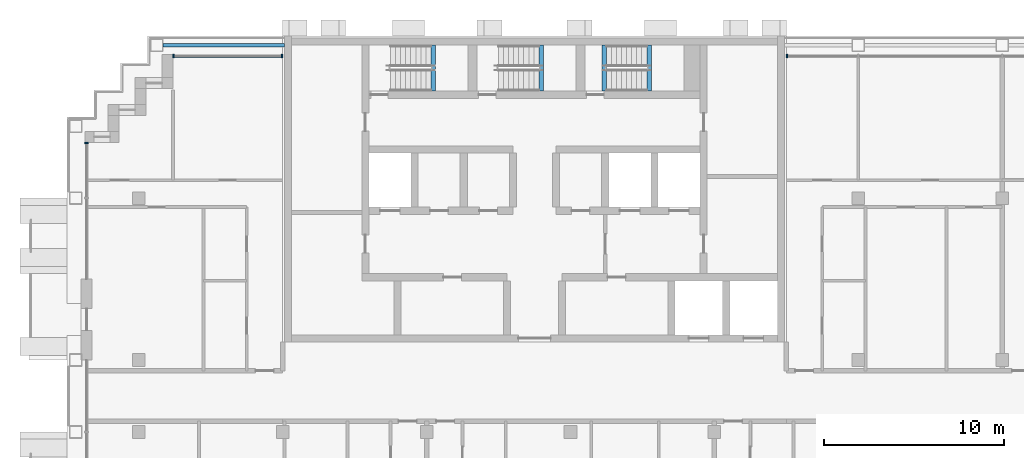
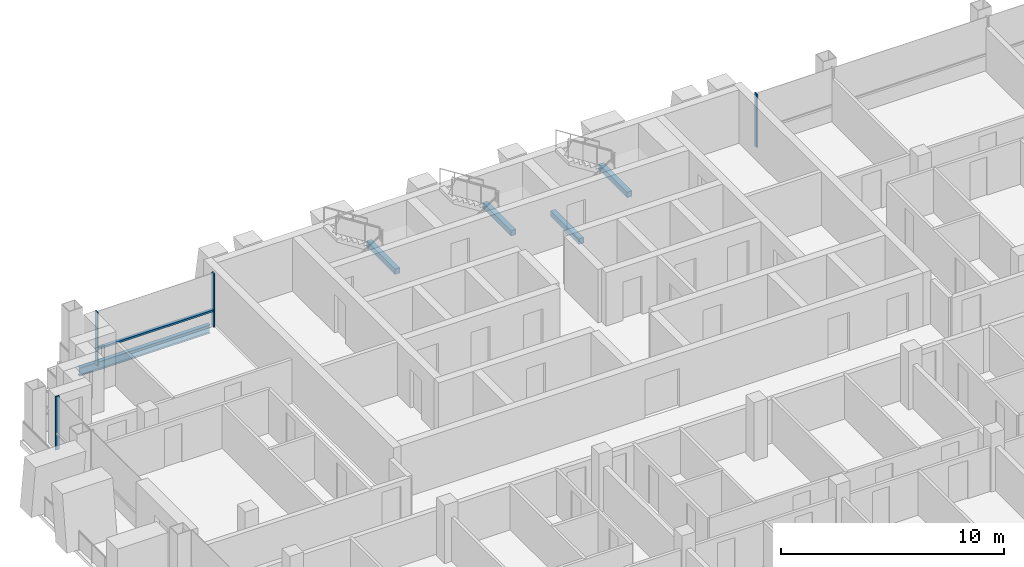
# One storey, part 4 of 16: 5 beams, 5 members, 3 elements without a shape of their own.
"""IFC4 building model written with IfcOpenShell, lengths in metres."""

from ifc_helpers import new_model, si_unit, direction, frame, origin, origin_2d, place, context, subcontext, project, spatial, rectangle, i_section, extrude, material, material_profile, profile_set, type_object, element, aggregate, save


model = new_model("IFC4")

# Units and contexts
model_context = context("Model", 3, precision=1e-05, world=origin(), true_north=direction((0.0, 1.0)))
body_context = subcontext(model_context, "Body", "Model", "MODEL_VIEW")
ifc_project = project(units=[si_unit("LENGTHUNIT", "METRE"), si_unit("AREAUNIT", "SQUARE_METRE"), si_unit("VOLUMEUNIT", "CUBIC_METRE"), si_unit("PLANEANGLEUNIT", "RADIAN"), si_unit("MASSUNIT", "GRAM", prefix="KILO")], contexts=[model_context])

# Site, building, storey
site_placement = place(None, origin())
site = spatial("IfcSite", under=ifc_project, at=site_placement, CompositionType="ELEMENT")
building_placement = place(site_placement, origin())
building = spatial("IfcBuilding", under=site, at=building_placement, Name="Vidyagriha Tower", CompositionType="ELEMENT")
storey_placement = place(building_placement, frame((0.0, 0.0, 165.300048828125)))
storey = spatial("IfcBuildingStorey", under=building, at=storey_placement, Name="L42", CompositionType="ELEMENT", Elevation=165.300048828125)

# Beam
ifc_material_1 = material(Name="Steel ASTM A992 Grade 50", Category="steel")
ifc_material_profile_1 = material_profile(ifc_material_1, i_section(OverallWidth=0.19189453125, OverallDepth=0.46240234375, WebThickness=0.010498046875, FlangeThickness=0.017578125, at=origin_2d()), Name="W18X60")
ifc_profile_set_1 = profile_set([ifc_material_profile_1], Name="Steel ASTM A992 Grade 50")
beam_type_1 = type_object("IfcBeamType", Name="Edge beam W18X60", PredefinedType="SPANDREL", material=ifc_profile_set_1)
beam_placement = place(storey_placement, frame((-20.64990234375, 19.5, -0.51123046875), z_axis=(1.0, 0.0, 0.0), x_axis=(0.0, 1.0, 0.0)))
element("IfcBeam", 1, at=beam_placement, inside=storey, type_object=beam_type_1, Name="st-beam-L42-NC09", PredefinedType="SPANDREL", context=body_context, shape_type="SweptSolid", body=[
    extrude(i_section(OverallWidth=0.19189453125, OverallDepth=0.46240234375, WebThickness=0.010498046875, FlangeThickness=0.017578125, at=origin_2d()), origin(), (0.0, 0.0, 1.0), 6.75),
])

# Curtain wall, member
ifc_material_2 = material(Name="Aluminium and glass curtain wall", Category="aluminium")
curtain_wall_type = type_object("IfcCurtainWallType", Name="Dwelling skin unitised curtain wall", PredefinedType="USERDEFINED", material=ifc_material_2)
curtain_wall_1_placement = place(storey_placement, origin())
curtain_wall_1 = element("IfcCurtainWall", 2, at=curtain_wall_1_placement, inside=storey, type_object=curtain_wall_type, Name="CW1 dwelling skin", ObjectType="UNITISED", PredefinedType="USERDEFINED")
ifc_material_3 = material(Name="Aluminium black anodised", Category="aluminium")
ifc_material_profile_2 = material_profile(ifc_material_3, rectangle(XDim=0.199951171875, YDim=0.070068359375, at=origin_2d()), Name="Mullion 70x200 black aluminium")
ifc_profile_set_2 = profile_set([ifc_material_profile_2], Name="Aluminium black anodised")
member_type_1 = type_object("IfcMemberType", Name="Mullion 70x200 black aluminium", PredefinedType="MULLION", material=ifc_profile_set_2)
member_1_placement = place(storey_placement, frame((14.034912109375, 18.89990234375, 0.0), z_axis=(0.0, 0.0, 1.0), x_axis=(0.0, -1.0, 0.0)))
member_1 = element("IfcMember", 3, at=member_1_placement, type_object=member_type_1, Name="CW1 mullion 4", PredefinedType="MULLION", context=body_context, shape_type="SweptSolid", body=[
    extrude(rectangle(XDim=0.199951171875, YDim=0.070068359375, at=origin_2d()), origin(), (0.0, 0.0, 1.0), 2.919921875),
])
aggregate(curtain_wall_1, [member_1])

# Curtain wall, members
curtain_wall_2_placement = place(storey_placement, origin())
curtain_wall_2 = element("IfcCurtainWall", 4, at=curtain_wall_2_placement, inside=storey, type_object=curtain_wall_type, Name="CW1 dwelling skin", ObjectType="UNITISED", PredefinedType="USERDEFINED")
member_2_placement = place(storey_placement, frame((-14.034912109375, 18.89990234375, 0.0), z_axis=(0.0, 0.0, 1.0), x_axis=(0.0, -1.0, 0.0)))
member_2 = element("IfcMember", 5, at=member_2_placement, type_object=member_type_1, Name="CW1 mullion 1", PredefinedType="MULLION", context=body_context, shape_type="SweptSolid", body=[
    extrude(rectangle(XDim=0.199951171875, YDim=0.070068359375, at=origin_2d()), origin(), (0.0, 0.0, 1.0), 2.919921875),
])
member_3_placement = place(storey_placement, frame((-20.06494140625, 18.89990234375, 0.0), z_axis=(0.0, 0.0, 1.0), x_axis=(0.0, -1.0, 0.0)))
member_3 = element("IfcMember", 6, at=member_3_placement, type_object=member_type_1, Name="CW1 mullion 2", PredefinedType="MULLION", context=body_context, shape_type="SweptSolid", body=[
    extrude(rectangle(XDim=0.199951171875, YDim=0.070068359375, at=origin_2d()), origin(), (0.0, 0.0, 1.0), 2.919921875),
])

# Curtain wall, member
curtain_wall_3_placement = place(storey_placement, origin())
curtain_wall_3 = element("IfcCurtainWall", 7, at=curtain_wall_3_placement, inside=storey, type_object=curtain_wall_type, Name="CW1 dwelling skin", ObjectType="UNITISED", PredefinedType="USERDEFINED")
member_4_placement = place(storey_placement, frame((-24.89990234375, 14.06494140625, 0.0)))
member_4 = element("IfcMember", 8, at=member_4_placement, type_object=member_type_1, Name="CW1 mullion 1", PredefinedType="MULLION", context=body_context, shape_type="SweptSolid", body=[
    extrude(rectangle(XDim=0.199951171875, YDim=0.070068359375, at=origin_2d()), origin(), (0.0, 0.0, 1.0), 2.919921875),
])
aggregate(curtain_wall_3, [member_4])

# Beams
ifc_material_4 = material(Name="Concrete C40/50", Category="concrete")
ifc_material_profile_3 = material_profile(ifc_material_4, rectangle(XDim=0.25, YDim=0.300048828125, at=origin_2d()), Name="Stair landing bearing beam 250x300")
ifc_profile_set_3 = profile_set([ifc_material_profile_3], Name="Concrete C40/50")
beam_type_2 = type_object("IfcBeamType", Name="Stair landing bearing beam 250x300", PredefinedType="BEAM", material=ifc_profile_set_3)
for number, where, z_axis, x_axis, name in (
    (9, (3.875, 16.949951171875, -0.429931640625), (0.0, 1.0, 0.0), (-1.0, 0.0, 0.0), "ST3 floor landing bearing beam L42"),
    (10, (-5.635009765625, 16.949951171875, 1.25), (0.0, 1.0, 0.0), (-1.0, 0.0, 0.0), "ST1 landing bearing beam L42"),
    (11, (0.364990234375, 16.949951171875, 1.25), (0.0, 1.0, 0.0), (-1.0, 0.0, 0.0), "ST2 landing bearing beam L42"),
    (12, (6.364990234375, 16.949951171875, 1.25), (0.0, 1.0, 0.0), (-1.0, 0.0, 0.0), "ST3 landing bearing beam L42"),
):
    element("IfcBeam", number, at=place(storey_placement, frame(where, z_axis=z_axis, x_axis=x_axis)), inside=storey, type_object=beam_type_2, Name=name, PredefinedType="BEAM", context=body_context, shape_type="SweptSolid", body=[
        extrude(rectangle(XDim=0.25, YDim=0.300048828125, at=origin_2d()), origin(), (0.0, 0.0, 1.0), 2.550048828125),
    ])

# Member
ifc_material_5 = material(Name="Aluminium black anodised", Category="aluminium")
ifc_material_profile_4 = material_profile(ifc_material_5, rectangle(XDim=0.159912109375, YDim=0.10009765625, at=origin_2d()), Name="Transom 100x160 black aluminium")
ifc_profile_set_4 = profile_set([ifc_material_profile_4], Name="Aluminium black anodised")
member_type_2 = type_object("IfcMemberType", Name="Transom 100x160 black aluminium", PredefinedType="USERDEFINED", material=ifc_profile_set_4)
member_5_placement = place(storey_placement, frame((-14.070068359375, 18.89990234375, 0.89990234375), z_axis=(-1.0, 0.0, 0.0), x_axis=(0.0, -1.0, 0.0)))
member_5 = element("IfcMember", 13, at=member_5_placement, type_object=member_type_2, Name="CW1 transom 1.1", ObjectType="TRANSOM", PredefinedType="USERDEFINED", context=body_context, shape_type="SweptSolid", body=[
    extrude(rectangle(XDim=0.159912109375, YDim=0.10009765625, at=origin_2d()), origin(), (0.0, 0.0, 1.0), 5.9599609375),
])

aggregate(curtain_wall_2, [member_2, member_3, member_5])

save(model, "model.ifc")
